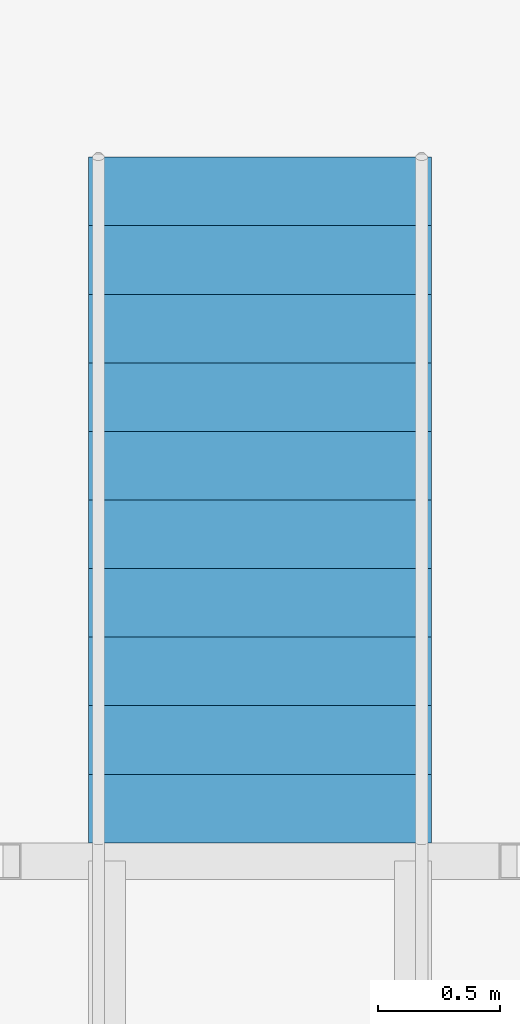
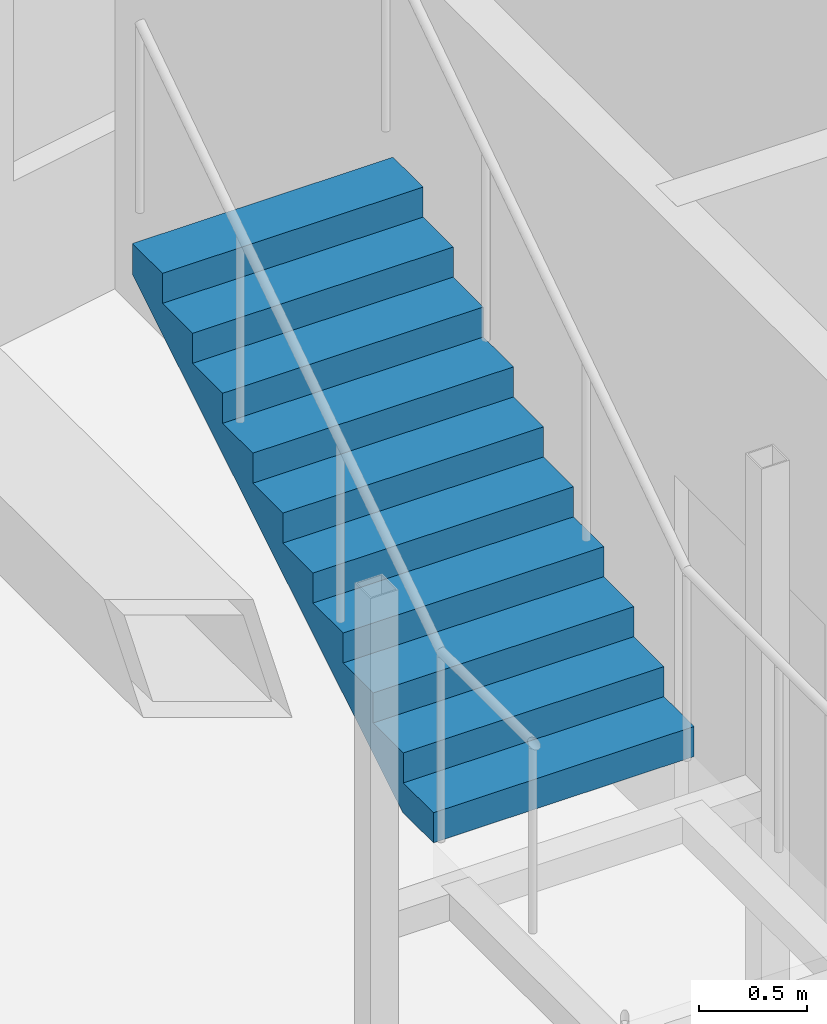
# One storey, part 26 of 27: 1 stair flight, 1 element without a shape of its own.
"""IFC4 building model written with IfcOpenShell, lengths in metres."""

from ifc_helpers import new_model, si_unit, direction, frame, origin, place, context, subcontext, project, spatial, triangles, material, type_object, element, aggregate, save


model = new_model("IFC4")

# Units and contexts
model_context = context("Model", 3, precision=1e-05, world=origin(), true_north=direction((0.0, 1.0)))
body_context = subcontext(model_context, "Body", "Model", "MODEL_VIEW")
ifc_project = project(units=[si_unit("LENGTHUNIT", "METRE"), si_unit("AREAUNIT", "SQUARE_METRE"), si_unit("VOLUMEUNIT", "CUBIC_METRE"), si_unit("PLANEANGLEUNIT", "RADIAN"), si_unit("MASSUNIT", "GRAM", prefix="KILO")], contexts=[model_context])

# Site, building, storey
site_placement = place(None, origin())
site = spatial("IfcSite", under=ifc_project, at=site_placement, CompositionType="ELEMENT")
building_placement = place(site_placement, origin())
building = spatial("IfcBuilding", under=site, at=building_placement, Name="Orbita Commons", CompositionType="ELEMENT")
storey_placement = place(building_placement, frame((0.0, 0.0, 246.550048828125)))
storey = spatial("IfcBuildingStorey", under=building, at=storey_placement, Name="L61", CompositionType="ELEMENT", Elevation=246.550048828125)

# Stair, stair flight
ifc_material_1 = material(Name="Steel ASTM A992 stringers, precast concrete C40/50 terrazzo treads", Category="concrete")
stair_type = type_object("IfcStairType", Name="Feature stair 22 risers 170 x 280 x 1400", PredefinedType="STRAIGHT_RUN_STAIR", material=ifc_material_1)
stair_placement = place(storey_placement, origin())
stair = element("IfcStair", 1, at=stair_placement, inside=storey, type_object=stair_type, Name="Neighbourhood stair L61 to L62", PredefinedType="STRAIGHT_RUN_STAIR")
ifc_material_2 = material(Name="Steel ASTM A992 stringers, precast concrete C40/50 terrazzo treads", Category="concrete")
stair_flight_type = type_object("IfcStairFlightType", Name="Feature stair flight 11 risers 170 x 1400", PredefinedType="STRAIGHT", material=ifc_material_2)
stair_flight_placement = place(storey_placement, frame((13.89990234375, 45.409912109375, 1.875), z_axis=(0.0, 0.0, 1.0), x_axis=(0.0, 1.0, 0.0)))
stair_flight = element("IfcStairFlight", 2, at=stair_flight_placement, type_object=stair_flight_type, Name="FS flight 2", NumberOfRisers=11, NumberOfTreads=10, PredefinedType="STRAIGHT", RiserHeight=0.170454545, TreadLength=0.28, context=body_context, shape_type="Tessellation", body=[
    triangles([(0.0, 0.699951, 0.0), (0.0, 0.699951, 0.021307), (0.0, 0.583293, 0.021307), (0.0, 0.583293, 0.0), (0.0, 0.466634, 0.021307), (0.0, 0.466634, 0.0), (0.0, 0.349976, 0.021307), (0.0, 0.349976, 0.0), (0.0, 0.233317, 0.021307), (0.0, 0.233317, 0.0), (0.0, 0.116659, 0.021307), (0.0, 0.116659, 0.0), (0.0, 0.0, 0.021307), (0.0, 0.0, 0.0), (0.0, -0.116659, 0.021307), (0.0, -0.116659, 0.0), (0.0, -0.233317, 0.021307), (0.0, -0.233317, 0.0), (0.0, -0.349976, 0.021307), (0.0, -0.349976, 0.0), (0.0, -0.466634, 0.021307), (0.0, -0.466634, 0.0), (0.0, -0.583293, 0.021307), (0.0, -0.583293, 0.0), (0.0, -0.699951, 0.021307), (0.0, -0.699951, 0.0), (0.0, 0.699951, 0.042614), (0.0, 0.583293, 0.042614), (0.0, 0.466634, 0.042614), (0.0, 0.349976, 0.042614), (0.0, 0.233317, 0.042614), (0.0, 0.116659, 0.042614), (0.0, 0.0, 0.042614), (0.0, -0.116659, 0.042614), (0.0, -0.233317, 0.042614), (0.0, -0.349976, 0.042614), (0.0, -0.466634, 0.042614), (0.0, -0.583293, 0.042614), (0.0, -0.699951, 0.042614), (0.0, 0.699951, 0.06392), (0.0, 0.583293, 0.06392), (0.0, 0.466634, 0.06392), (0.0, 0.349976, 0.06392), (0.0, 0.233317, 0.06392), (0.0, 0.116659, 0.06392), (0.0, 0.0, 0.06392), (0.0, -0.116659, 0.06392), (0.0, -0.233317, 0.06392), (0.0, -0.349976, 0.06392), (0.0, -0.466634, 0.06392), (0.0, -0.583293, 0.06392), (0.0, -0.699951, 0.06392), (0.0, 0.699951, 0.085227), (0.0, 0.583293, 0.085227), (0.0, 0.466634, 0.085227), (0.0, 0.349976, 0.085227), (0.0, 0.233317, 0.085227), (0.0, 0.116659, 0.085227), (0.0, 0.0, 0.085227), (0.0, -0.116659, 0.085227), (0.0, -0.233317, 0.085227), (0.0, -0.349976, 0.085227), (0.0, -0.466634, 0.085227), (0.0, -0.583293, 0.085227), (0.0, -0.699951, 0.085227), (0.0, 0.699951, 0.106534), (0.0, 0.583293, 0.106534), (0.0, 0.466634, 0.106534), (0.0, 0.349976, 0.106534), (0.0, 0.233317, 0.106534), (0.0, 0.116659, 0.106534), (0.0, 0.0, 0.106534), (0.0, -0.116659, 0.106534), (0.0, -0.233317, 0.106534), (0.0, -0.349976, 0.106534), (0.0, -0.466634, 0.106534), (0.0, -0.583293, 0.106534), (0.0, -0.699951, 0.106534), (0.0, 0.699951, 0.127841), (0.0, 0.583293, 0.127841), (0.0, 0.466634, 0.127841), (0.0, 0.349976, 0.127841), (0.0, 0.233317, 0.127841), (0.0, 0.116659, 0.127841), (0.0, 0.0, 0.127841), (0.0, -0.116659, 0.127841), (0.0, -0.233317, 0.127841), (0.0, -0.349976, 0.127841), (0.0, -0.466634, 0.127841), (0.0, -0.583293, 0.127841), (0.0, -0.699951, 0.127841), (0.0, 0.699951, 0.149148), (0.0, 0.583293, 0.149148), (0.0, 0.466634, 0.149148), (0.0, 0.349976, 0.149148), (0.0, 0.233317, 0.149148), (0.0, 0.116659, 0.149148), (0.0, 0.0, 0.149148), (0.0, -0.116659, 0.149148), (0.0, -0.233317, 0.149148), (0.0, -0.349976, 0.149148), (0.0, -0.466634, 0.149148), (0.0, -0.583293, 0.149148), (0.0, -0.699951, 0.149148), (0.0, 0.699951, 0.170455), (0.0, 0.583293, 0.170455), (0.0, 0.466634, 0.170455), (0.0, 0.349976, 0.170455), (0.0, 0.233317, 0.170455), (0.0, 0.116659, 0.170455), (0.0, 0.0, 0.170455), (0.0, -0.116659, 0.170455), (0.0, -0.233317, 0.170455), (0.0, -0.349976, 0.170455), (0.0, -0.466634, 0.170455), (0.0, -0.583293, 0.170455), (0.0, -0.699951, 0.170455), (0.28, 0.699951, 0.170455), (0.28, 0.583293, 0.170455), (0.28, 0.466634, 0.170455), (0.28, 0.349976, 0.170455), (0.28, 0.233317, 0.170455), (0.28, 0.116659, 0.170455), (0.28, 0.0, 0.170455), (0.28, -0.116659, 0.170455), (0.28, -0.233317, 0.170455), (0.28, -0.349976, 0.170455), (0.28, -0.466634, 0.170455), (0.28, -0.583293, 0.170455), (0.28, -0.699951, 0.170455), (0.28, 0.699951, 0.340909), (0.28, 0.583293, 0.340909), (0.28, 0.466634, 0.340909), (0.28, 0.349976, 0.340909), (0.28, 0.233317, 0.340909), (0.28, 0.116659, 0.340909), (0.28, 0.0, 0.340909), (0.28, -0.116659, 0.340909), (0.28, -0.233317, 0.340909), (0.28, -0.349976, 0.340909), (0.28, -0.466634, 0.340909), (0.28, -0.583293, 0.340909), (0.28, -0.699951, 0.340909), (0.56, 0.699951, 0.340909), (0.56, 0.583293, 0.340909), (0.56, 0.466634, 0.340909), (0.56, 0.349976, 0.340909), (0.56, 0.233317, 0.340909), (0.56, 0.116659, 0.340909), (0.56, 0.0, 0.340909), (0.56, -0.116659, 0.340909), (0.56, -0.233317, 0.340909), (0.56, -0.349976, 0.340909), (0.56, -0.466634, 0.340909), (0.56, -0.583293, 0.340909), (0.56, -0.699951, 0.340909), (0.56, 0.699951, 0.511364), (0.56, 0.583293, 0.511364), (0.56, 0.466634, 0.511364), (0.56, 0.349976, 0.511364), (0.56, 0.233317, 0.511364), (0.56, 0.116659, 0.511364), (0.56, 0.0, 0.511364), (0.56, -0.116659, 0.511364), (0.56, -0.233317, 0.511364), (0.56, -0.349976, 0.511364), (0.56, -0.466634, 0.511364), (0.56, -0.583293, 0.511364), (0.56, -0.699951, 0.511364), (0.84, 0.699951, 0.511364), (0.84, 0.583293, 0.511364), (0.84, 0.466634, 0.511364), (0.84, 0.349976, 0.511364), (0.84, 0.233317, 0.511364), (0.84, 0.116659, 0.511364), (0.84, 0.0, 0.511364), (0.84, -0.116659, 0.511364), (0.84, -0.233317, 0.511364), (0.84, -0.349976, 0.511364), (0.84, -0.466634, 0.511364), (0.84, -0.583293, 0.511364), (0.84, -0.699951, 0.511364), (0.84, 0.699951, 0.681818), (0.84, 0.583293, 0.681818), (0.84, 0.466634, 0.681818), (0.84, 0.349976, 0.681818), (0.84, 0.233317, 0.681818), (0.84, 0.116659, 0.681818), (0.84, 0.0, 0.681818), (0.84, -0.116659, 0.681818), (0.84, -0.233317, 0.681818), (0.84, -0.349976, 0.681818), (0.84, -0.466634, 0.681818), (0.84, -0.583293, 0.681818), (0.84, -0.699951, 0.681818), (1.12, 0.699951, 0.681818), (1.12, 0.583293, 0.681818), (1.12, 0.466634, 0.681818), (1.12, 0.349976, 0.681818), (1.12, 0.233317, 0.681818), (1.12, 0.116659, 0.681818), (1.12, 0.0, 0.681818), (1.12, -0.116659, 0.681818), (1.12, -0.233317, 0.681818), (1.12, -0.349976, 0.681818), (1.12, -0.466634, 0.681818), (1.12, -0.583293, 0.681818), (1.12, -0.699951, 0.681818), (1.12, 0.699951, 0.852273), (1.12, 0.583293, 0.852273), (1.12, 0.466634, 0.852273), (1.12, 0.349976, 0.852273), (1.12, 0.233317, 0.852273), (1.12, 0.116659, 0.852273), (1.12, 0.0, 0.852273), (1.12, -0.116659, 0.852273), (1.12, -0.233317, 0.852273), (1.12, -0.349976, 0.852273), (1.12, -0.466634, 0.852273), (1.12, -0.583293, 0.852273), (1.12, -0.699951, 0.852273), (1.4, 0.699951, 0.852273), (1.4, 0.583293, 0.852273), (1.4, 0.466634, 0.852273), (1.4, 0.349976, 0.852273), (1.4, 0.233317, 0.852273), (1.4, 0.116659, 0.852273), (1.4, 0.0, 0.852273), (1.4, -0.116659, 0.852273), (1.4, -0.233317, 0.852273), (1.4, -0.349976, 0.852273), (1.4, -0.466634, 0.852273), (1.4, -0.583293, 0.852273), (1.4, -0.699951, 0.852273), (1.4, 0.699951, 1.022727), (1.4, 0.583293, 1.022727), (1.4, 0.466634, 1.022727), (1.4, 0.349976, 1.022727), (1.4, 0.233317, 1.022727), (1.4, 0.116659, 1.022727), (1.4, 0.0, 1.022727), (1.4, -0.116659, 1.022727), (1.4, -0.233317, 1.022727), (1.4, -0.349976, 1.022727), (1.4, -0.466634, 1.022727), (1.4, -0.583293, 1.022727), (1.4, -0.699951, 1.022727), (1.68, 0.699951, 1.022727), (1.68, 0.583293, 1.022727), (1.68, 0.466634, 1.022727), (1.68, 0.349976, 1.022727), (1.68, 0.233317, 1.022727), (1.68, 0.116659, 1.022727), (1.68, 0.0, 1.022727), (1.68, -0.116659, 1.022727), (1.68, -0.233317, 1.022727), (1.68, -0.349976, 1.022727), (1.68, -0.466634, 1.022727), (1.68, -0.583293, 1.022727), (1.68, -0.699951, 1.022727), (1.68, 0.699951, 1.193182), (1.68, 0.583293, 1.193182), (1.68, 0.466634, 1.193182), (1.68, 0.349976, 1.193182), (1.68, 0.233317, 1.193182), (1.68, 0.116659, 1.193182), (1.68, 0.0, 1.193182), (1.68, -0.116659, 1.193182), (1.68, -0.233317, 1.193182), (1.68, -0.349976, 1.193182), (1.68, -0.466634, 1.193182), (1.68, -0.583293, 1.193182), (1.68, -0.699951, 1.193182), (1.96, 0.699951, 1.193182), (1.96, 0.583293, 1.193182), (1.96, 0.466634, 1.193182), (1.96, 0.349976, 1.193182), (1.96, 0.233317, 1.193182), (1.96, 0.116659, 1.193182), (1.96, 0.0, 1.193182), (1.96, -0.116659, 1.193182), (1.96, -0.233317, 1.193182), (1.96, -0.349976, 1.193182), (1.96, -0.466634, 1.193182), (1.96, -0.583293, 1.193182), (1.96, -0.699951, 1.193182), (1.96, 0.699951, 1.363636), (1.96, 0.583293, 1.363636), (1.96, 0.466634, 1.363636), (1.96, 0.349976, 1.363636), (1.96, 0.233317, 1.363636), (1.96, 0.116659, 1.363636), (1.96, 0.0, 1.363636), (1.96, -0.116659, 1.363636), (1.96, -0.233317, 1.363636), (1.96, -0.349976, 1.363636), (1.96, -0.466634, 1.363636), (1.96, -0.583293, 1.363636), (1.96, -0.699951, 1.363636), (2.24, 0.699951, 1.363636), (2.24, 0.583293, 1.363636), (2.24, 0.466634, 1.363636), (2.24, 0.349976, 1.363636), (2.24, 0.233317, 1.363636), (2.24, 0.116659, 1.363636), (2.24, 0.0, 1.363636), (2.24, -0.116659, 1.363636), (2.24, -0.233317, 1.363636), (2.24, -0.349976, 1.363636), (2.24, -0.466634, 1.363636), (2.24, -0.583293, 1.363636), (2.24, -0.699951, 1.363636), (2.24, 0.699951, 1.534091), (2.24, 0.583293, 1.534091), (2.24, 0.466634, 1.534091), (2.24, 0.349976, 1.534091), (2.24, 0.233317, 1.534091), (2.24, 0.116659, 1.534091), (2.24, 0.0, 1.534091), (2.24, -0.116659, 1.534091), (2.24, -0.233317, 1.534091), (2.24, -0.349976, 1.534091), (2.24, -0.466634, 1.534091), (2.24, -0.583293, 1.534091), (2.24, -0.699951, 1.534091), (2.52, 0.699951, 1.534091), (2.52, 0.583293, 1.534091), (2.52, 0.466634, 1.534091), (2.52, 0.349976, 1.534091), (2.52, 0.233317, 1.534091), (2.52, 0.116659, 1.534091), (2.52, 0.0, 1.534091), (2.52, -0.116659, 1.534091), (2.52, -0.233317, 1.534091), (2.52, -0.349976, 1.534091), (2.52, -0.466634, 1.534091), (2.52, -0.583293, 1.534091), (2.52, -0.699951, 1.534091), (2.52, 0.699951, 1.704545), (2.52, 0.583293, 1.704545), (2.52, 0.466634, 1.704545), (2.52, 0.349976, 1.704545), (2.52, 0.233317, 1.704545), (2.52, 0.116659, 1.704545), (2.52, 0.0, 1.704545), (2.52, -0.116659, 1.704545), (2.52, -0.233317, 1.704545), (2.52, -0.349976, 1.704545), (2.52, -0.466634, 1.704545), (2.52, -0.583293, 1.704545), (2.52, -0.699951, 1.704545), (2.8, 0.699951, 1.704545), (2.8, 0.583293, 1.704545), (2.8, 0.466634, 1.704545), (2.8, 0.349976, 1.704545), (2.8, 0.233317, 1.704545), (2.8, 0.116659, 1.704545), (2.8, 0.0, 1.704545), (2.8, -0.116659, 1.704545), (2.8, -0.233317, 1.704545), (2.8, -0.349976, 1.704545), (2.8, -0.466634, 1.704545), (2.8, -0.583293, 1.704545), (2.8, -0.699951, 1.704545), (2.8, 0.699951, 1.682609), (2.8, 0.583293, 1.682609), (2.8, 0.466634, 1.682609), (2.8, 0.349976, 1.682609), (2.8, 0.233317, 1.682609), (2.8, 0.116659, 1.682609), (2.8, 0.0, 1.682609), (2.8, -0.116659, 1.682609), (2.8, -0.233317, 1.682609), (2.8, -0.349976, 1.682609), (2.8, -0.466634, 1.682609), (2.8, -0.583293, 1.682609), (2.8, -0.699951, 1.682609), (2.8, 0.699951, 1.660672), (2.8, 0.583293, 1.660672), (2.8, 0.466634, 1.660672), (2.8, 0.349976, 1.660672), (2.8, 0.233317, 1.660672), (2.8, 0.116659, 1.660672), (2.8, 0.0, 1.660672), (2.8, -0.116659, 1.660672), (2.8, -0.233317, 1.660672), (2.8, -0.349976, 1.660672), (2.8, -0.466634, 1.660672), (2.8, -0.583293, 1.660672), (2.8, -0.699951, 1.660672), (2.8, 0.699951, 1.638735), (2.8, 0.583293, 1.638735), (2.8, 0.466634, 1.638735), (2.8, 0.349976, 1.638735), (2.8, 0.233317, 1.638735), (2.8, 0.116659, 1.638735), (2.8, 0.0, 1.638735), (2.8, -0.116659, 1.638735), (2.8, -0.233317, 1.638735), (2.8, -0.349976, 1.638735), (2.8, -0.466634, 1.638735), (2.8, -0.583293, 1.638735), (2.8, -0.699951, 1.638735), (2.8, 0.699951, 1.616798), (2.8, 0.583293, 1.616798), (2.8, 0.466634, 1.616798), (2.8, 0.349976, 1.616798), (2.8, 0.233317, 1.616798), (2.8, 0.116659, 1.616798), (2.8, 0.0, 1.616798), (2.8, -0.116659, 1.616798), (2.8, -0.233317, 1.616798), (2.8, -0.349976, 1.616798), (2.8, -0.466634, 1.616798), (2.8, -0.583293, 1.616798), (2.8, -0.699951, 1.616798), (2.8, 0.699951, 1.594861), (2.8, 0.583293, 1.594861), (2.8, 0.466634, 1.594861), (2.8, 0.349976, 1.594861), (2.8, 0.233317, 1.594861), (2.8, 0.116659, 1.594861), (2.8, 0.0, 1.594861), (2.8, -0.116659, 1.594861), (2.8, -0.233317, 1.594861), (2.8, -0.349976, 1.594861), (2.8, -0.466634, 1.594861), (2.8, -0.583293, 1.594861), (2.8, -0.699951, 1.594861), (2.8, 0.699951, 1.572925), (2.8, 0.583293, 1.572925), (2.8, 0.466634, 1.572925), (2.8, 0.349976, 1.572925), (2.8, 0.233317, 1.572925), (2.8, 0.116659, 1.572925), (2.8, 0.0, 1.572925), (2.8, -0.116659, 1.572925), (2.8, -0.233317, 1.572925), (2.8, -0.349976, 1.572925), (2.8, -0.466634, 1.572925), (2.8, -0.583293, 1.572925), (2.8, -0.699951, 1.572925), (2.8, 0.699951, 1.550988), (2.8, 0.583293, 1.550988), (2.8, 0.466634, 1.550988), (2.8, 0.349976, 1.550988), (2.8, 0.233317, 1.550988), (2.8, 0.116659, 1.550988), (2.8, 0.0, 1.550988), (2.8, -0.116659, 1.550988), (2.8, -0.233317, 1.550988), (2.8, -0.349976, 1.550988), (2.8, -0.466634, 1.550988), (2.8, -0.583293, 1.550988), (2.8, -0.699951, 1.550988), (2.8, 0.699951, 1.529051), (2.8, 0.583293, 1.529051), (2.8, 0.466634, 1.529051), (2.8, 0.349976, 1.529051), (2.8, 0.233317, 1.529051), (2.8, 0.116659, 1.529051), (2.8, 0.0, 1.529051), (2.8, -0.116659, 1.529051), (2.8, -0.233317, 1.529051), (2.8, -0.349976, 1.529051), (2.8, -0.466634, 1.529051), (2.8, -0.583293, 1.529051), (2.8, -0.699951, 1.529051), (0.288279, 0.699951, 0.0), (0.288279, 0.583293, 0.0), (0.288279, 0.466634, 0.0), (0.288279, 0.349976, 0.0), (0.288279, 0.233317, 0.0), (0.288279, 0.116659, 0.0), (0.288279, 0.0, 0.0), (0.288279, -0.116659, 0.0), (0.288279, -0.233317, 0.0), (0.288279, -0.349976, 0.0), (0.288279, -0.466634, 0.0), (0.288279, -0.583293, 0.0), (0.288279, -0.699951, 0.0)], [[3, 2, 1], [4, 3, 1], [5, 3, 4], [6, 5, 4], [7, 5, 6], [8, 7, 6], [9, 7, 8], [10, 9, 8], [11, 9, 10], [12, 11, 10], [13, 11, 12], [14, 13, 12], [15, 13, 14], [16, 15, 14], [17, 15, 16], [18, 17, 16], [19, 17, 18], [20, 19, 18], [21, 19, 20], [22, 21, 20], [23, 21, 22], [24, 23, 22], [25, 23, 24], [26, 25, 24], [28, 27, 2], [3, 28, 2], [29, 28, 3], [5, 29, 3], [30, 29, 5], [7, 30, 5], [31, 30, 7], [9, 31, 7], [32, 31, 9], [11, 32, 9], [33, 32, 11], [13, 33, 11], [34, 33, 13], [15, 34, 13], [35, 34, 15], [17, 35, 15], [36, 35, 17], [19, 36, 17], [37, 36, 19], [21, 37, 19], [38, 37, 21], [23, 38, 21], [39, 38, 23], [25, 39, 23], [41, 40, 27], [28, 41, 27], [42, 41, 28], [29, 42, 28], [43, 42, 29], [30, 43, 29], [44, 43, 30], [31, 44, 30], [45, 44, 31], [32, 45, 31], [46, 45, 32], [33, 46, 32], [47, 46, 33], [34, 47, 33], [48, 47, 34], [35, 48, 34], [49, 48, 35], [36, 49, 35], [50, 49, 36], [37, 50, 36], [51, 50, 37], [38, 51, 37], [52, 51, 38], [39, 52, 38], [54, 53, 40], [41, 54, 40], [55, 54, 41], [42, 55, 41], [56, 55, 42], [43, 56, 42], [57, 56, 43], [44, 57, 43], [58, 57, 44], [45, 58, 44], [59, 58, 45], [46, 59, 45], [60, 59, 46], [47, 60, 46], [61, 60, 47], [48, 61, 47], [62, 61, 48], [49, 62, 48], [63, 62, 49], [50, 63, 49], [64, 63, 50], [51, 64, 50], [65, 64, 51], [52, 65, 51], [67, 66, 53], [54, 67, 53], [68, 67, 54], [55, 68, 54], [69, 68, 55], [56, 69, 55], [70, 69, 56], [57, 70, 56], [71, 70, 57], [58, 71, 57], [72, 71, 58], [59, 72, 58], [73, 72, 59], [60, 73, 59], [74, 73, 60], [61, 74, 60], [75, 74, 61], [62, 75, 61], [76, 75, 62], [63, 76, 62], [77, 76, 63], [64, 77, 63], [78, 77, 64], [65, 78, 64], [80, 79, 66], [67, 80, 66], [81, 80, 67], [68, 81, 67], [82, 81, 68], [69, 82, 68], [83, 82, 69], [70, 83, 69], [84, 83, 70], [71, 84, 70], [85, 84, 71], [72, 85, 71], [86, 85, 72], [73, 86, 72], [87, 86, 73], [74, 87, 73], [88, 87, 74], [75, 88, 74], [89, 88, 75], [76, 89, 75], [90, 89, 76], [77, 90, 76], [91, 90, 77], [78, 91, 77], [93, 92, 79], [80, 93, 79], [94, 93, 80], [81, 94, 80], [95, 94, 81], [82, 95, 81], [96, 95, 82], [83, 96, 82], [97, 96, 83], [84, 97, 83], [98, 97, 84], [85, 98, 84], [99, 98, 85], [86, 99, 85], [100, 99, 86], [87, 100, 86], [101, 100, 87], [88, 101, 87], [102, 101, 88], [89, 102, 88], [103, 102, 89], [90, 103, 89], [104, 103, 90], [91, 104, 90], [106, 105, 92], [93, 106, 92], [107, 106, 93], [94, 107, 93], [108, 107, 94], [95, 108, 94], [109, 108, 95], [96, 109, 95], [110, 109, 96], [97, 110, 96], [111, 110, 97], [98, 111, 97], [112, 111, 98], [99, 112, 98], [113, 112, 99], [100, 113, 99], [114, 113, 100], [101, 114, 100], [115, 114, 101], [102, 115, 101], [116, 115, 102], [103, 116, 102], [117, 116, 103], [104, 117, 103], [119, 118, 105], [106, 119, 105], [120, 119, 106], [107, 120, 106], [121, 120, 107], [108, 121, 107], [122, 121, 108], [109, 122, 108], [123, 122, 109], [110, 123, 109], [124, 123, 110], [111, 124, 110], [125, 124, 111], [112, 125, 111], [126, 125, 112], [113, 126, 112], [127, 126, 113], [114, 127, 113], [128, 127, 114], [115, 128, 114], [129, 128, 115], [116, 129, 115], [130, 129, 116], [117, 130, 116], [132, 131, 118], [119, 132, 118], [133, 132, 119], [120, 133, 119], [134, 133, 120], [121, 134, 120], [135, 134, 121], [122, 135, 121], [136, 135, 122], [123, 136, 122], [137, 136, 123], [124, 137, 123], [138, 137, 124], [125, 138, 124], [139, 138, 125], [126, 139, 125], [140, 139, 126], [127, 140, 126], [141, 140, 127], [128, 141, 127], [142, 141, 128], [129, 142, 128], [143, 142, 129], [130, 143, 129], [145, 144, 131], [132, 145, 131], [146, 145, 132], [133, 146, 132], [147, 146, 133], [134, 147, 133], [148, 147, 134], [135, 148, 134], [149, 148, 135], [136, 149, 135], [150, 149, 136], [137, 150, 136], [151, 150, 137], [138, 151, 137], [152, 151, 138], [139, 152, 138], [153, 152, 139], [140, 153, 139], [154, 153, 140], [141, 154, 140], [155, 154, 141], [142, 155, 141], [156, 155, 142], [143, 156, 142], [158, 157, 144], [145, 158, 144], [159, 158, 145], [146, 159, 145], [160, 159, 146], [147, 160, 146], [161, 160, 147], [148, 161, 147], [162, 161, 148], [149, 162, 148], [163, 162, 149], [150, 163, 149], [164, 163, 150], [151, 164, 150], [165, 164, 151], [152, 165, 151], [166, 165, 152], [153, 166, 152], [167, 166, 153], [154, 167, 153], [168, 167, 154], [155, 168, 154], [169, 168, 155], [156, 169, 155], [171, 170, 157], [158, 171, 157], [172, 171, 158], [159, 172, 158], [173, 172, 159], [160, 173, 159], [174, 173, 160], [161, 174, 160], [175, 174, 161], [162, 175, 161], [176, 175, 162], [163, 176, 162], [177, 176, 163], [164, 177, 163], [178, 177, 164], [165, 178, 164], [179, 178, 165], [166, 179, 165], [180, 179, 166], [167, 180, 166], [181, 180, 167], [168, 181, 167], [182, 181, 168], [169, 182, 168], [184, 183, 170], [171, 184, 170], [185, 184, 171], [172, 185, 171], [186, 185, 172], [173, 186, 172], [187, 186, 173], [174, 187, 173], [188, 187, 174], [175, 188, 174], [189, 188, 175], [176, 189, 175], [190, 189, 176], [177, 190, 176], [191, 190, 177], [178, 191, 177], [192, 191, 178], [179, 192, 178], [193, 192, 179], [180, 193, 179], [194, 193, 180], [181, 194, 180], [195, 194, 181], [182, 195, 181], [197, 196, 183], [184, 197, 183], [198, 197, 184], [185, 198, 184], [199, 198, 185], [186, 199, 185], [200, 199, 186], [187, 200, 186], [201, 200, 187], [188, 201, 187], [202, 201, 188], [189, 202, 188], [203, 202, 189], [190, 203, 189], [204, 203, 190], [191, 204, 190], [205, 204, 191], [192, 205, 191], [206, 205, 192], [193, 206, 192], [207, 206, 193], [194, 207, 193], [208, 207, 194], [195, 208, 194], [210, 209, 196], [197, 210, 196], [211, 210, 197], [198, 211, 197], [212, 211, 198], [199, 212, 198], [213, 212, 199], [200, 213, 199], [214, 213, 200], [201, 214, 200], [215, 214, 201], [202, 215, 201], [216, 215, 202], [203, 216, 202], [217, 216, 203], [204, 217, 203], [218, 217, 204], [205, 218, 204], [219, 218, 205], [206, 219, 205], [220, 219, 206], [207, 220, 206], [221, 220, 207], [208, 221, 207], [223, 222, 209], [210, 223, 209], [224, 223, 210], [211, 224, 210], [225, 224, 211], [212, 225, 211], [226, 225, 212], [213, 226, 212], [227, 226, 213], [214, 227, 213], [228, 227, 214], [215, 228, 214], [229, 228, 215], [216, 229, 215], [230, 229, 216], [217, 230, 216], [231, 230, 217], [218, 231, 217], [232, 231, 218], [219, 232, 218], [233, 232, 219], [220, 233, 219], [234, 233, 220], [221, 234, 220], [236, 235, 222], [223, 236, 222], [237, 236, 223], [224, 237, 223], [238, 237, 224], [225, 238, 224], [239, 238, 225], [226, 239, 225], [240, 239, 226], [227, 240, 226], [241, 240, 227], [228, 241, 227], [242, 241, 228], [229, 242, 228], [243, 242, 229], [230, 243, 229], [244, 243, 230], [231, 244, 230], [245, 244, 231], [232, 245, 231], [246, 245, 232], [233, 246, 232], [247, 246, 233], [234, 247, 233], [249, 248, 235], [236, 249, 235], [250, 249, 236], [237, 250, 236], [251, 250, 237], [238, 251, 237], [252, 251, 238], [239, 252, 238], [253, 252, 239], [240, 253, 239], [254, 253, 240], [241, 254, 240], [255, 254, 241], [242, 255, 241], [256, 255, 242], [243, 256, 242], [257, 256, 243], [244, 257, 243], [258, 257, 244], [245, 258, 244], [259, 258, 245], [246, 259, 245], [260, 259, 246], [247, 260, 246], [262, 261, 248], [249, 262, 248], [263, 262, 249], [250, 263, 249], [264, 263, 250], [251, 264, 250], [265, 264, 251], [252, 265, 251], [266, 265, 252], [253, 266, 252], [267, 266, 253], [254, 267, 253], [268, 267, 254], [255, 268, 254], [269, 268, 255], [256, 269, 255], [270, 269, 256], [257, 270, 256], [271, 270, 257], [258, 271, 257], [272, 271, 258], [259, 272, 258], [273, 272, 259], [260, 273, 259], [275, 274, 261], [262, 275, 261], [276, 275, 262], [263, 276, 262], [277, 276, 263], [264, 277, 263], [278, 277, 264], [265, 278, 264], [279, 278, 265], [266, 279, 265], [280, 279, 266], [267, 280, 266], [281, 280, 267], [268, 281, 267], [282, 281, 268], [269, 282, 268], [283, 282, 269], [270, 283, 269], [284, 283, 270], [271, 284, 270], [285, 284, 271], [272, 285, 271], [286, 285, 272], [273, 286, 272], [288, 287, 274], [275, 288, 274], [289, 288, 275], [276, 289, 275], [290, 289, 276], [277, 290, 276], [291, 290, 277], [278, 291, 277], [292, 291, 278], [279, 292, 278], [293, 292, 279], [280, 293, 279], [294, 293, 280], [281, 294, 280], [295, 294, 281], [282, 295, 281], [296, 295, 282], [283, 296, 282], [297, 296, 283], [284, 297, 283], [298, 297, 284], [285, 298, 284], [299, 298, 285], [286, 299, 285], [301, 300, 287], [288, 301, 287], [302, 301, 288], [289, 302, 288], [303, 302, 289], [290, 303, 289], [304, 303, 290], [291, 304, 290], [305, 304, 291], [292, 305, 291], [306, 305, 292], [293, 306, 292], [307, 306, 293], [294, 307, 293], [308, 307, 294], [295, 308, 294], [309, 308, 295], [296, 309, 295], [310, 309, 296], [297, 310, 296], [311, 310, 297], [298, 311, 297], [312, 311, 298], [299, 312, 298], [314, 313, 300], [301, 314, 300], [315, 314, 301], [302, 315, 301], [316, 315, 302], [303, 316, 302], [317, 316, 303], [304, 317, 303], [318, 317, 304], [305, 318, 304], [319, 318, 305], [306, 319, 305], [320, 319, 306], [307, 320, 306], [321, 320, 307], [308, 321, 307], [322, 321, 308], [309, 322, 308], [323, 322, 309], [310, 323, 309], [324, 323, 310], [311, 324, 310], [325, 324, 311], [312, 325, 311], [327, 326, 313], [314, 327, 313], [328, 327, 314], [315, 328, 314], [329, 328, 315], [316, 329, 315], [330, 329, 316], [317, 330, 316], [331, 330, 317], [318, 331, 317], [332, 331, 318], [319, 332, 318], [333, 332, 319], [320, 333, 319], [334, 333, 320], [321, 334, 320], [335, 334, 321], [322, 335, 321], [336, 335, 322], [323, 336, 322], [337, 336, 323], [324, 337, 323], [338, 337, 324], [325, 338, 324], [340, 339, 326], [327, 340, 326], [341, 340, 327], [328, 341, 327], [342, 341, 328], [329, 342, 328], [343, 342, 329], [330, 343, 329], [344, 343, 330], [331, 344, 330], [345, 344, 331], [332, 345, 331], [346, 345, 332], [333, 346, 332], [347, 346, 333], [334, 347, 333], [348, 347, 334], [335, 348, 334], [349, 348, 335], [336, 349, 335], [350, 349, 336], [337, 350, 336], [351, 350, 337], [338, 351, 337], [353, 352, 339], [340, 353, 339], [354, 353, 340], [341, 354, 340], [355, 354, 341], [342, 355, 341], [356, 355, 342], [343, 356, 342], [357, 356, 343], [344, 357, 343], [358, 357, 344], [345, 358, 344], [359, 358, 345], [346, 359, 345], [360, 359, 346], [347, 360, 346], [361, 360, 347], [348, 361, 347], [362, 361, 348], [349, 362, 348], [363, 362, 349], [350, 363, 349], [364, 363, 350], [351, 364, 350], [366, 365, 352], [353, 366, 352], [367, 366, 353], [354, 367, 353], [368, 367, 354], [355, 368, 354], [369, 368, 355], [356, 369, 355], [370, 369, 356], [357, 370, 356], [371, 370, 357], [358, 371, 357], [372, 371, 358], [359, 372, 358], [373, 372, 359], [360, 373, 359], [374, 373, 360], [361, 374, 360], [375, 374, 361], [362, 375, 361], [376, 375, 362], [363, 376, 362], [377, 376, 363], [364, 377, 363], [379, 378, 365], [366, 379, 365], [380, 379, 366], [367, 380, 366], [381, 380, 367], [368, 381, 367], [382, 381, 368], [369, 382, 368], [383, 382, 369], [370, 383, 369], [384, 383, 370], [371, 384, 370], [385, 384, 371], [372, 385, 371], [386, 385, 372], [373, 386, 372], [387, 386, 373], [374, 387, 373], [388, 387, 374], [375, 388, 374], [389, 388, 375], [376, 389, 375], [390, 389, 376], [377, 390, 376], [392, 391, 378], [379, 392, 378], [393, 392, 379], [380, 393, 379], [394, 393, 380], [381, 394, 380], [395, 394, 381], [382, 395, 381], [396, 395, 382], [383, 396, 382], [397, 396, 383], [384, 397, 383], [398, 397, 384], [385, 398, 384], [399, 398, 385], [386, 399, 385], [400, 399, 386], [387, 400, 386], [401, 400, 387], [388, 401, 387], [402, 401, 388], [389, 402, 388], [403, 402, 389], [390, 403, 389], [405, 404, 391], [392, 405, 391], [406, 405, 392], [393, 406, 392], [407, 406, 393], [394, 407, 393], [408, 407, 394], [395, 408, 394], [409, 408, 395], [396, 409, 395], [410, 409, 396], [397, 410, 396], [411, 410, 397], [398, 411, 397], [412, 411, 398], [399, 412, 398], [413, 412, 399], [400, 413, 399], [414, 413, 400], [401, 414, 400], [415, 414, 401], [402, 415, 401], [416, 415, 402], [403, 416, 402], [418, 417, 404], [405, 418, 404], [419, 418, 405], [406, 419, 405], [420, 419, 406], [407, 420, 406], [421, 420, 407], [408, 421, 407], [422, 421, 408], [409, 422, 408], [423, 422, 409], [410, 423, 409], [424, 423, 410], [411, 424, 410], [425, 424, 411], [412, 425, 411], [426, 425, 412], [413, 426, 412], [427, 426, 413], [414, 427, 413], [428, 427, 414], [415, 428, 414], [429, 428, 415], [416, 429, 415], [431, 430, 417], [418, 431, 417], [432, 431, 418], [419, 432, 418], [433, 432, 419], [420, 433, 419], [434, 433, 420], [421, 434, 420], [435, 434, 421], [422, 435, 421], [436, 435, 422], [423, 436, 422], [437, 436, 423], [424, 437, 423], [438, 437, 424], [425, 438, 424], [439, 438, 425], [426, 439, 425], [440, 439, 426], [427, 440, 426], [441, 440, 427], [428, 441, 427], [442, 441, 428], [429, 442, 428], [444, 443, 430], [431, 444, 430], [445, 444, 431], [432, 445, 431], [446, 445, 432], [433, 446, 432], [447, 446, 433], [434, 447, 433], [448, 447, 434], [435, 448, 434], [449, 448, 435], [436, 449, 435], [450, 449, 436], [437, 450, 436], [451, 450, 437], [438, 451, 437], [452, 451, 438], [439, 452, 438], [453, 452, 439], [440, 453, 439], [454, 453, 440], [441, 454, 440], [455, 454, 441], [442, 455, 441], [457, 456, 443], [444, 457, 443], [458, 457, 444], [445, 458, 444], [459, 458, 445], [446, 459, 445], [460, 459, 446], [447, 460, 446], [461, 460, 447], [448, 461, 447], [462, 461, 448], [449, 462, 448], [463, 462, 449], [450, 463, 449], [464, 463, 450], [451, 464, 450], [465, 464, 451], [452, 465, 451], [466, 465, 452], [453, 466, 452], [467, 466, 453], [454, 467, 453], [468, 467, 454], [455, 468, 454], [470, 469, 456], [457, 470, 456], [471, 470, 457], [458, 471, 457], [472, 471, 458], [459, 472, 458], [473, 472, 459], [460, 473, 459], [474, 473, 460], [461, 474, 460], [475, 474, 461], [462, 475, 461], [476, 475, 462], [463, 476, 462], [477, 476, 463], [464, 477, 463], [478, 477, 464], [465, 478, 464], [479, 478, 465], [466, 479, 465], [480, 479, 466], [467, 480, 466], [481, 480, 467], [468, 481, 467], [4, 1, 469], [470, 4, 469], [6, 4, 470], [471, 6, 470], [8, 6, 471], [472, 8, 471], [10, 8, 472], [473, 10, 472], [12, 10, 473], [474, 12, 473], [14, 12, 474], [475, 14, 474], [16, 14, 475], [476, 16, 475], [18, 16, 476], [477, 18, 476], [20, 18, 477], [478, 20, 477], [22, 20, 478], [479, 22, 478], [24, 22, 479], [480, 24, 479], [26, 24, 480], [481, 26, 480], [456, 469, 1], [26, 481, 468], [443, 456, 1], [26, 468, 455], [430, 443, 1], [26, 455, 442], [417, 430, 1], [26, 442, 429], [404, 417, 1], [26, 429, 416], [391, 404, 1], [26, 416, 403], [378, 391, 1], [26, 403, 390], [365, 378, 1], [26, 390, 377], [339, 352, 365], [377, 364, 351], [326, 339, 365], [377, 351, 338], [300, 313, 326], [338, 325, 312], [300, 326, 365], [377, 338, 312], [274, 287, 300], [312, 299, 286], [274, 300, 365], [377, 312, 286], [248, 261, 274], [286, 273, 260], [248, 274, 365], [377, 286, 260], [222, 235, 248], [260, 247, 234], [222, 248, 365], [377, 260, 234], [196, 209, 222], [234, 221, 208], [196, 222, 365], [377, 234, 208], [170, 183, 196], [208, 195, 182], [170, 196, 365], [377, 208, 182], [144, 157, 170], [182, 169, 156], [144, 170, 365], [377, 182, 156], [118, 131, 144], [156, 143, 130], [118, 144, 365], [377, 156, 130], [118, 365, 1], [26, 377, 130], [92, 105, 118], [130, 117, 104], [79, 92, 118], [130, 104, 91], [66, 79, 118], [130, 91, 78], [53, 66, 118], [130, 78, 65], [40, 53, 118], [130, 65, 52], [27, 40, 118], [130, 52, 39], [2, 27, 118], [130, 39, 25], [1, 2, 118], [130, 25, 26]], closed=True),
])
aggregate(stair, [stair_flight])

save(model, "model.ifc")
